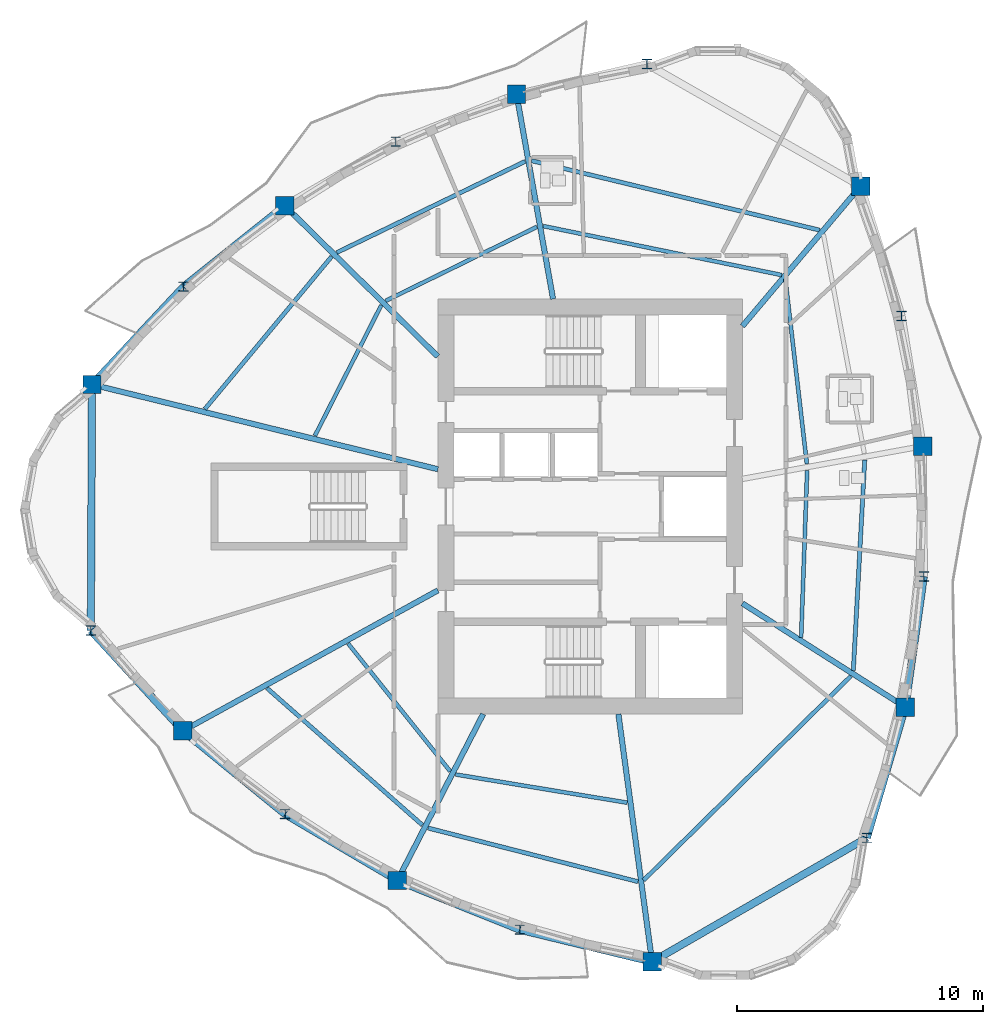
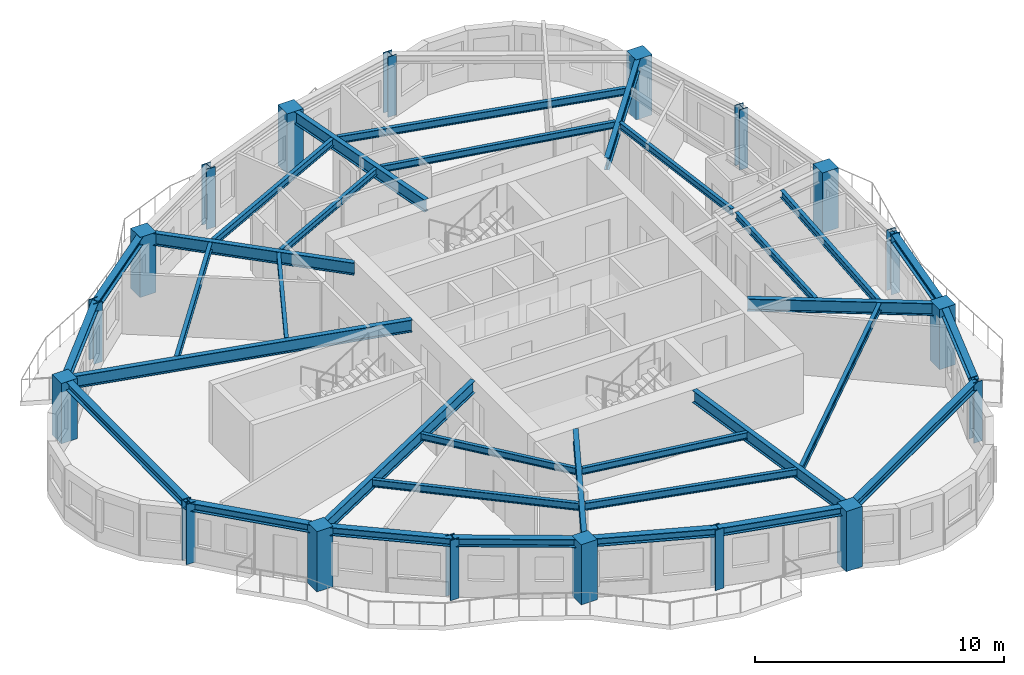
# One storey, part 1 of 12: 33 beams, 18 columns.
"""IFC4 building model written with IfcOpenShell, lengths in metres."""

from ifc_helpers import new_model, si_unit, direction, frame, origin, origin_2d, place, context, subcontext, project, spatial, rectangle, i_section, extrude, source, transform, mapped, material, material_profile, profile_set, type_object, element, save


model = new_model("IFC4")

# Units and contexts
model_context = context("Model", 3, precision=1e-05, world=origin(), true_north=direction((0.0, 1.0)))
body_context = subcontext(model_context, "Body", "Model", "MODEL_VIEW")
ifc_project = project(units=[si_unit("LENGTHUNIT", "METRE"), si_unit("AREAUNIT", "SQUARE_METRE"), si_unit("VOLUMEUNIT", "CUBIC_METRE"), si_unit("PLANEANGLEUNIT", "RADIAN"), si_unit("MASSUNIT", "GRAM", prefix="KILO")], contexts=[model_context])

# Site, building, storey
site_placement = place(None, origin())
site = spatial("IfcSite", under=ifc_project, at=site_placement, CompositionType="ELEMENT")
building_placement = place(site_placement, origin())
building = spatial("IfcBuilding", under=site, at=building_placement, Name="Qafzar Sky-Pleat Residences", CompositionType="ELEMENT")
storey_placement = place(building_placement, frame((0.0, 0.0, 139.39990234375)))
storey = spatial("IfcBuildingStorey", under=building, at=storey_placement, Name="L41", CompositionType="ELEMENT", Elevation=139.39990234375)

# Columns
ifc_material_1 = material(Name="Concrete C60/75", Category="concrete")
ifc_material_profile_1 = material_profile(ifc_material_1, rectangle(XDim=0.75, YDim=0.75, at=origin_2d()), Name="RC 750x750")
ifc_profile_set_1 = profile_set([ifc_material_profile_1], Name="Concrete C60/75")
column_type_1 = type_object("IfcColumnType", Name="COL-RC-750", PredefinedType="COLUMN", material=ifc_profile_set_1)
shared_shape_1 = source(origin(), body_context, "Body", "SweptSolid", [
    extrude(rectangle(XDim=0.75, YDim=0.75, at=origin_2d()), origin(), (0.0, 0.0, 1.0), 2.9501953125),
])
for number, where, z_axis, x_axis, name in (
    (1, (10.064208984375, 30.967529296875, 0.0), (0.0, 0.0, 1.0), (1.0, 0.0, 0.0), "L41 Perimeter Mega Column 1"),
    (2, (13.76708984375, 16.86181640625, 0.0), (0.0, 0.0, 1.0), (1.0, 0.0, 0.0), "L41 Perimeter Mega Column 3"),
    (3, (22.499755859375, 10.770263671875, 0.0), (0.0, 0.0, 1.0), (1.0, 0.0, 0.0), "L41 Perimeter Mega Column 5"),
    (4, (32.873291015625, 7.458251953125, 0.0), (0.0, 0.0, 1.0), (1.0, 0.0, 0.0), "L41 Perimeter Mega Column 7"),
    (5, (43.18359375, 17.83251953125, 0.0), (0.0, 0.0, 1.0), (1.0, 0.0, 0.0), "L41 Perimeter Mega Column 9"),
    (6, (43.88818359375, 28.45654296875, 0.0), (0.0, 0.0, 1.0), (1.0, 0.0, 0.0), "L41 Perimeter Mega Column 11"),
    (7, (41.365478515625, 39.049560546875, 0.0), (0.0, 0.0, 1.0), (1.0, 0.0, 0.0), "L41 Perimeter Mega Column 13"),
    (8, (27.352294921875, 42.781005859375, 0.0), (0.0, 0.0, 1.0), (1.0, 0.0, 0.0), "L41 Perimeter Mega Column 15"),
    (9, (17.914794921875, 38.24853515625, 0.0), (0.0, 0.0, 1.0), (1.0, 0.0, 0.0), "L41 Perimeter Mega Column 17"),
):
    element("IfcColumn", number, at=place(storey_placement, frame(where, z_axis=z_axis, x_axis=x_axis)), inside=storey, type_object=column_type_1, Name=name, PredefinedType="COLUMN", context=body_context, shape_type="MappedRepresentation", body=[
        mapped(shared_shape_1, transform((0.0, 0.0, 0.0), x_axis=(1.0, 0.0, 0.0), y_axis=(0.0, 1.0, 0.0), z_axis=(0.0, 0.0, 1.0), scale=1.0)),
    ])
ifc_material_2 = material(Name="Steel S355", Category="steel")
ifc_material_profile_2 = material_profile(ifc_material_2, i_section(OverallWidth=0.40087890625, OverallDepth=0.39892578125, WebThickness=0.02294921875, FlangeThickness=0.035888671875, FilletRadius=0.014892578125, at=origin_2d()), Name="HD 400x314")
ifc_profile_set_2 = profile_set([ifc_material_profile_2], Name="Steel S355")
column_type_2 = type_object("IfcColumnType", Name="COL-STL-HD314", PredefinedType="PILASTER", material=ifc_profile_set_2)
shared_shape_2 = source(origin(), body_context, "Body", "SweptSolid", [
    extrude(i_section(OverallWidth=0.40087890625, OverallDepth=0.39892578125, WebThickness=0.02294921875, FlangeThickness=0.035888671875, FilletRadius=0.014892578125, at=origin_2d()), origin(), (0.0, 0.0, 1.0), 2.9501953125),
])
for number, where, z_axis, x_axis, name in (
    (10, (10.015869140625, 20.94970703125, 0.0), (0.0, 0.0, 1.0), (1.0, 0.0, 0.0), "L41 Perimeter Mega Column 2"),
    (11, (17.928466796875, 13.468505859375, 0.0), (0.0, 0.0, 1.0), (1.0, 0.0, 0.0), "L41 Perimeter Mega Column 4"),
    (12, (27.4814453125, 8.766845703125, 0.0), (0.0, 0.0, 1.0), (1.0, 0.0, 0.0), "L41 Perimeter Mega Column 6"),
    (13, (41.62109375, 12.5087890625, 0.0), (0.0, 0.0, 1.0), (1.0, 0.0, 0.0), "L41 Perimeter Mega Column 8"),
    (14, (43.939453125, 23.1484375, 0.0), (0.0, 0.0, 1.0), (1.0, 0.0, 0.0), "L41 Perimeter Mega Column 10"),
    (15, (43.030517578125, 33.757080078125, 0.0), (0.0, 0.0, 1.0), (1.0, 0.0, 0.0), "L41 Perimeter Mega Column 12"),
    (16, (32.666015625, 44.0166015625, 0.0), (0.0, 0.0, 1.0), (1.0, 0.0, 0.0), "L41 Perimeter Mega Column 14"),
    (17, (22.43505859375, 40.8583984375, 0.0), (0.0, 0.0, 1.0), (1.0, 0.0, 0.0), "L41 Perimeter Mega Column 16"),
    (18, (13.791015625, 34.95166015625, 0.0), (0.0, 0.0, 1.0), (1.0, 0.0, 0.0), "L41 Perimeter Mega Column 18"),
):
    element("IfcColumn", number, at=place(storey_placement, frame(where, z_axis=z_axis, x_axis=x_axis)), inside=storey, type_object=column_type_2, Name=name, PredefinedType="PILASTER", context=body_context, shape_type="MappedRepresentation", body=[
        mapped(shared_shape_2, transform((0.0, 0.0, 0.0), x_axis=(1.0, 0.0, 0.0), y_axis=(0.0, 1.0, 0.0), z_axis=(0.0, 0.0, 1.0), scale=1.0)),
    ])

# Beams
ifc_material_profile_3 = material_profile(ifc_material_2, i_section(OverallWidth=0.300048828125, OverallDepth=0.39990234375, WebThickness=0.013427734375, FlangeThickness=0.02392578125, FilletRadius=0.027099609375, at=origin_2d()), Name="HEB 400")
ifc_profile_set_3 = profile_set([ifc_material_profile_3], Name="Steel S355")
beam_type_1 = type_object("IfcBeamType", Name="BM-SPAN-HEB400", PredefinedType="SPANDREL", material=ifc_profile_set_3)
shared_shape_3 = source(origin(), body_context, "Body", "SweptSolid", [
    extrude(i_section(OverallWidth=0.300048828125, OverallDepth=0.39990234375, WebThickness=0.013427734375, FlangeThickness=0.02392578125, FilletRadius=0.027099609375, at=origin_2d()), origin(), (0.0, 0.0, 1.0), 10.017822265625),
])
beam_1_placement = place(storey_placement, frame((10.064208984375, 30.967529296875, 2.748046875), z_axis=(-0.00482532827, -0.999988358036, 0.0), x_axis=(0.999988358036, -0.00482532827, 0.0)))
element("IfcBeam", 19, at=beam_1_placement, inside=storey, type_object=beam_type_1, Name="L41 Perimeter Spandrel Beam 1", PredefinedType="SPANDREL", context=body_context, shape_type="MappedRepresentation", body=[
    mapped(shared_shape_3, transform((0.0, 0.0, 0.0), x_axis=(1.0, 0.0, 0.0), y_axis=(0.0, 1.0, 0.0), z_axis=(0.0, 0.0, 1.0), scale=1.0)),
])
shared_shape_4 = source(origin(), body_context, "Body", "SweptSolid", [
    extrude(i_section(OverallWidth=0.300048828125, OverallDepth=0.39990234375, WebThickness=0.013427734375, FlangeThickness=0.02392578125, FilletRadius=0.027099609375, at=origin_2d()), origin(), (0.0, 0.0, 1.0), 5.548095703125),
])
beam_2_placement = place(storey_placement, frame((10.015869140625, 20.94970703125, 2.748046875), z_axis=(0.676115086254, -0.736796030214, 0.0), x_axis=(0.736796030214, 0.676115086254, 0.0)))
element("IfcBeam", 20, at=beam_2_placement, inside=storey, type_object=beam_type_1, Name="L41 Perimeter Spandrel Beam 2", PredefinedType="SPANDREL", context=body_context, shape_type="MappedRepresentation", body=[
    mapped(shared_shape_4, transform((0.0, 0.0, 0.0), x_axis=(1.0, 0.0, 0.0), y_axis=(0.0, 1.0, 0.0), z_axis=(0.0, 0.0, 1.0), scale=1.0)),
])
shared_shape_5 = source(origin(), body_context, "Body", "SweptSolid", [
    extrude(i_section(OverallWidth=0.300048828125, OverallDepth=0.39990234375, WebThickness=0.013427734375, FlangeThickness=0.02392578125, FilletRadius=0.027099609375, at=origin_2d()), origin(), (0.0, 0.0, 1.0), 5.36962890625),
])
beam_3_placement = place(storey_placement, frame((13.76708984375, 16.86181640625, 2.748046875), z_axis=(0.775001557848, -0.63195932253, 0.0), x_axis=(0.63195932253, 0.775001557848, 0.0)))
element("IfcBeam", 21, at=beam_3_placement, inside=storey, type_object=beam_type_1, Name="L41 Perimeter Spandrel Beam 3", PredefinedType="SPANDREL", context=body_context, shape_type="MappedRepresentation", body=[
    mapped(shared_shape_5, transform((0.0, 0.0, 0.0), x_axis=(1.0, 0.0, 0.0), y_axis=(0.0, 1.0, 0.0), z_axis=(0.0, 0.0, 1.0), scale=1.0)),
])
shared_shape_6 = source(origin(), body_context, "Body", "SweptSolid", [
    extrude(i_section(OverallWidth=0.300048828125, OverallDepth=0.39990234375, WebThickness=0.013427734375, FlangeThickness=0.02392578125, FilletRadius=0.027099609375, at=origin_2d()), origin(), (0.0, 0.0, 1.0), 5.30810546875),
])
beam_4_placement = place(storey_placement, frame((17.928466796875, 13.468505859375, 2.748046875), z_axis=(0.861171817652, -0.508313978247, 0.0), x_axis=(0.508313978247, 0.861171817652, 0.0)))
element("IfcBeam", 22, at=beam_4_placement, inside=storey, type_object=beam_type_1, Name="L41 Perimeter Spandrel Beam 4", PredefinedType="SPANDREL", context=body_context, shape_type="MappedRepresentation", body=[
    mapped(shared_shape_6, transform((0.0, 0.0, 0.0), x_axis=(1.0, 0.0, 0.0), y_axis=(0.0, 1.0, 0.0), z_axis=(0.0, 0.0, 1.0), scale=1.0)),
])
shared_shape_7 = source(origin(), body_context, "Body", "SweptSolid", [
    extrude(i_section(OverallWidth=0.300048828125, OverallDepth=0.39990234375, WebThickness=0.013427734375, FlangeThickness=0.02392578125, FilletRadius=0.027099609375, at=origin_2d()), origin(), (0.0, 0.0, 1.0), 5.369384765625),
])
for number, where, z_axis, x_axis, name in (
    (23, (22.499755859375, 10.770263671875, 2.748046875), (0.927785221824, -0.373114703763, 0.0), (0.373114703763, 0.927785221824, 0.0), "L41 Perimeter Spandrel Beam 5"),
    (24, (43.18359375, 17.83251953125, 2.748046875), (0.140772028478, 0.99004203749, 0.0), (-0.99004203749, 0.140772028478, 0.0), "L41 Perimeter Spandrel Beam 9"),
):
    element("IfcBeam", number, at=place(storey_placement, frame(where, z_axis=z_axis, x_axis=x_axis)), inside=storey, type_object=beam_type_1, Name=name, PredefinedType="SPANDREL", context=body_context, shape_type="MappedRepresentation", body=[
        mapped(shared_shape_7, transform((0.0, 0.0, 0.0), x_axis=(1.0, 0.0, 0.0), y_axis=(0.0, 1.0, 0.0), z_axis=(0.0, 0.0, 1.0), scale=1.0)),
    ])
shared_shape_8 = source(origin(), body_context, "Body", "SweptSolid", [
    extrude(i_section(OverallWidth=0.300048828125, OverallDepth=0.39990234375, WebThickness=0.013427734375, FlangeThickness=0.02392578125, FilletRadius=0.027099609375, at=origin_2d()), origin(), (0.0, 0.0, 1.0), 5.54833984375),
])
for number, where, z_axis, x_axis, name in (
    (25, (27.4814453125, 8.766845703125, 2.748046875), (0.97178901186, -0.235851895113, 0.0), (0.235851895113, 0.97178901186, 0.0), "L41 Perimeter Spandrel Beam 6"),
    (26, (41.62109375, 12.5087890625, 2.748046875), (0.281618344189, 0.959526502092, 0.0), (-0.959526502092, 0.281618344189, 0.0), "L41 Perimeter Spandrel Beam 8"),
):
    element("IfcBeam", number, at=place(storey_placement, frame(where, z_axis=z_axis, x_axis=x_axis)), inside=storey, type_object=beam_type_1, Name=name, PredefinedType="SPANDREL", context=body_context, shape_type="MappedRepresentation", body=[
        mapped(shared_shape_8, transform((0.0, 0.0, 0.0), x_axis=(1.0, 0.0, 0.0), y_axis=(0.0, 1.0, 0.0), z_axis=(0.0, 0.0, 1.0), scale=1.0)),
    ])
shared_shape_9 = source(origin(), body_context, "Body", "SweptSolid", [
    extrude(i_section(OverallWidth=0.300048828125, OverallDepth=0.39990234375, WebThickness=0.013427734375, FlangeThickness=0.02392578125, FilletRadius=0.027099609375, at=origin_2d()), origin(), (0.0, 0.0, 1.0), 10.10107421875),
])
beam_5_placement = place(storey_placement, frame((32.873291015625, 7.458251953125, 2.748046875), z_axis=(0.866025796203, 0.499999320311, 0.0), x_axis=(-0.499999320311, 0.866025796203, 0.0)))
element("IfcBeam", 27, at=beam_5_placement, inside=storey, type_object=beam_type_1, Name="L41 Perimeter Spandrel Beam 7", PredefinedType="SPANDREL", context=body_context, shape_type="MappedRepresentation", body=[
    mapped(shared_shape_9, transform((0.0, 0.0, 0.0), x_axis=(1.0, 0.0, 0.0), y_axis=(0.0, 1.0, 0.0), z_axis=(0.0, 0.0, 1.0), scale=1.0)),
])
shared_shape_10 = source(origin(), body_context, "Body", "SweptSolid", [
    extrude(i_section(OverallWidth=0.300048828125, OverallDepth=0.39990234375, WebThickness=0.013427734375, FlangeThickness=0.02392578125, FilletRadius=0.027099609375, at=origin_2d()), origin(), (0.0, 0.0, 1.0), 5.45556640625),
])
beam_6_placement = place(storey_placement, frame((13.791015625, 34.95166015625, 2.748046875), z_axis=(-0.683129413239, -0.73029733997, 0.0), x_axis=(0.73029733997, -0.683129413239, 0.0)))
element("IfcBeam", 28, at=beam_6_placement, inside=storey, type_object=beam_type_1, Name="L41 Perimeter Spandrel Beam 18", PredefinedType="SPANDREL", context=body_context, shape_type="MappedRepresentation", body=[
    mapped(shared_shape_10, transform((0.0, 0.0, 0.0), x_axis=(1.0, 0.0, 0.0), y_axis=(0.0, 1.0, 0.0), z_axis=(0.0, 0.0, 1.0), scale=1.0)),
])
shared_shape_11 = source(origin(), body_context, "Body", "SweptSolid", [
    extrude(i_section(OverallWidth=0.300048828125, OverallDepth=0.39990234375, WebThickness=0.013427734375, FlangeThickness=0.02392578125, FilletRadius=0.027099609375, at=origin_2d()), origin(), (0.0, 0.0, 1.0), 5.27978515625),
])
beam_7_placement = place(storey_placement, frame((17.914794921875, 38.24853515625, 2.748046875), z_axis=(-0.781067270651, -0.62444689023, 0.0), x_axis=(0.62444689023, -0.781067270651, 0.0)))
element("IfcBeam", 29, at=beam_7_placement, inside=storey, type_object=beam_type_1, Name="L41 Perimeter Spandrel Beam 17", PredefinedType="SPANDREL", context=body_context, shape_type="MappedRepresentation", body=[
    mapped(shared_shape_11, transform((0.0, 0.0, 0.0), x_axis=(1.0, 0.0, 0.0), y_axis=(0.0, 1.0, 0.0), z_axis=(0.0, 0.0, 1.0), scale=1.0)),
])
ifc_material_profile_4 = material_profile(ifc_material_2, i_section(OverallWidth=0.219970703125, OverallDepth=0.60009765625, WebThickness=0.011962890625, FlangeThickness=0.01904296875, FilletRadius=0.02392578125, at=origin_2d()), Name="IPE 600")
ifc_profile_set_4 = profile_set([ifc_material_profile_4], Name="Steel S355")
beam_type_2 = type_object("IfcBeamType", Name="BM-SEC-IPE600", PredefinedType="BEAM", material=ifc_profile_set_4)
shared_shape_12 = source(origin(), body_context, "Body", "SweptSolid", [
    extrude(i_section(OverallWidth=0.219970703125, OverallDepth=0.60009765625, WebThickness=0.011962890625, FlangeThickness=0.01904296875, FilletRadius=0.02392578125, at=origin_2d()), origin(), (0.0, 0.0, 1.0), 14.501953125),
])
beam_8_placement = place(storey_placement, frame((10.064208984375, 30.967529296875, 2.648193359375), z_axis=(0.971302709207, -0.2378466882, 0.0), x_axis=(0.2378466882, 0.971302709207, 0.0)))
element("IfcBeam", 30, at=beam_8_placement, inside=storey, type_object=beam_type_2, Name="L41 Radial Floor Girder 1", PredefinedType="BEAM", context=body_context, shape_type="MappedRepresentation", body=[
    mapped(shared_shape_12, transform((0.0, 0.0, 0.0), x_axis=(1.0, 0.0, 0.0), y_axis=(0.0, 1.0, 0.0), z_axis=(0.0, 0.0, 1.0), scale=1.0)),
])
shared_shape_13 = source(origin(), body_context, "Body", "SweptSolid", [
    extrude(i_section(OverallWidth=0.219970703125, OverallDepth=0.60009765625, WebThickness=0.011962890625, FlangeThickness=0.01904296875, FilletRadius=0.02392578125, at=origin_2d()), origin(), (0.0, 0.0, 1.0), 11.85498046875),
])
beam_9_placement = place(storey_placement, frame((13.76708984375, 16.86181640625, 2.648193359375), z_axis=(0.875819070007, 0.482639572157, 0.0), x_axis=(-0.482639572157, 0.875819070007, 0.0)))
element("IfcBeam", 31, at=beam_9_placement, inside=storey, type_object=beam_type_2, Name="L41 Radial Floor Girder 3", PredefinedType="BEAM", context=body_context, shape_type="MappedRepresentation", body=[
    mapped(shared_shape_13, transform((0.0, 0.0, 0.0), x_axis=(1.0, 0.0, 0.0), y_axis=(0.0, 1.0, 0.0), z_axis=(0.0, 0.0, 1.0), scale=1.0)),
])
shared_shape_14 = source(origin(), body_context, "Body", "SweptSolid", [
    extrude(i_section(OverallWidth=0.219970703125, OverallDepth=0.60009765625, WebThickness=0.011962890625, FlangeThickness=0.01904296875, FilletRadius=0.02392578125, at=origin_2d()), origin(), (0.0, 0.0, 1.0), 7.62744140625),
])
beam_10_placement = place(storey_placement, frame((22.499755859375, 10.770263671875, 2.648193359375), z_axis=(0.458165071573, 0.888867125723, 0.0), x_axis=(-0.888867125723, 0.458165071573, 0.0)))
element("IfcBeam", 32, at=beam_10_placement, inside=storey, type_object=beam_type_2, Name="L41 Radial Floor Girder 5", PredefinedType="BEAM", context=body_context, shape_type="MappedRepresentation", body=[
    mapped(shared_shape_14, transform((0.0, 0.0, 0.0), x_axis=(1.0, 0.0, 0.0), y_axis=(0.0, 1.0, 0.0), z_axis=(0.0, 0.0, 1.0), scale=1.0)),
])
shared_shape_15 = source(origin(), body_context, "Body", "SweptSolid", [
    extrude(i_section(OverallWidth=0.219970703125, OverallDepth=0.60009765625, WebThickness=0.011962890625, FlangeThickness=0.01904296875, FilletRadius=0.02392578125, at=origin_2d()), origin(), (0.0, 0.0, 1.0), 10.184814453125),
])
beam_11_placement = place(storey_placement, frame((32.873291015625, 7.458251953125, 2.648193359375), z_axis=(-0.134837216246, 0.990867763687, 0.0), x_axis=(-0.990867763687, -0.134837216246, 0.0)))
element("IfcBeam", 33, at=beam_11_placement, inside=storey, type_object=beam_type_2, Name="L41 Radial Floor Girder 7", PredefinedType="BEAM", context=body_context, shape_type="MappedRepresentation", body=[
    mapped(shared_shape_15, transform((0.0, 0.0, 0.0), x_axis=(1.0, 0.0, 0.0), y_axis=(0.0, 1.0, 0.0), z_axis=(0.0, 0.0, 1.0), scale=1.0)),
])
shared_shape_16 = source(origin(), body_context, "Body", "SweptSolid", [
    extrude(i_section(OverallWidth=0.219970703125, OverallDepth=0.60009765625, WebThickness=0.011962890625, FlangeThickness=0.01904296875, FilletRadius=0.02392578125, at=origin_2d()), origin(), (0.0, 0.0, 1.0), 7.863037109375),
])
beam_12_placement = place(storey_placement, frame((43.18359375, 17.83251953125, 2.648193359375), z_axis=(-0.843642309645, 0.536905627999, 0.0), x_axis=(-0.536905627999, -0.843642309645, 0.0)))
element("IfcBeam", 34, at=beam_12_placement, inside=storey, type_object=beam_type_2, Name="L41 Radial Floor Girder 9", PredefinedType="BEAM", context=body_context, shape_type="MappedRepresentation", body=[
    mapped(shared_shape_16, transform((0.0, 0.0, 0.0), x_axis=(1.0, 0.0, 0.0), y_axis=(0.0, 1.0, 0.0), z_axis=(0.0, 0.0, 1.0), scale=1.0)),
])
shared_shape_17 = source(origin(), body_context, "Body", "SweptSolid", [
    extrude(i_section(OverallWidth=0.219970703125, OverallDepth=0.60009765625, WebThickness=0.011962890625, FlangeThickness=0.01904296875, FilletRadius=0.02392578125, at=origin_2d()), origin(), (0.0, 0.0, 1.0), 7.465576171875),
])
beam_13_placement = place(storey_placement, frame((41.365478515625, 39.049560546875, 2.648193359375), z_axis=(-0.645025540345, -0.764161012028, 0.0), x_axis=(0.764161012028, -0.645025540345, 0.0)))
element("IfcBeam", 35, at=beam_13_placement, inside=storey, type_object=beam_type_2, Name="L41 Radial Floor Girder 13", PredefinedType="BEAM", context=body_context, shape_type="MappedRepresentation", body=[
    mapped(shared_shape_17, transform((0.0, 0.0, 0.0), x_axis=(1.0, 0.0, 0.0), y_axis=(0.0, 1.0, 0.0), z_axis=(0.0, 0.0, 1.0), scale=1.0)),
])
shared_shape_18 = source(origin(), body_context, "Body", "SweptSolid", [
    extrude(i_section(OverallWidth=0.219970703125, OverallDepth=0.60009765625, WebThickness=0.011962890625, FlangeThickness=0.01904296875, FilletRadius=0.02392578125, at=origin_2d()), origin(), (0.0, 0.0, 1.0), 8.462890625),
])
beam_14_placement = place(storey_placement, frame((27.352294921875, 42.781005859375, 2.648193359375), z_axis=(0.175858532928, -0.984415449085, 0.0), x_axis=(0.984415449085, 0.175858532928, 0.0)))
element("IfcBeam", 36, at=beam_14_placement, inside=storey, type_object=beam_type_2, Name="L41 Radial Floor Girder 15", PredefinedType="BEAM", context=body_context, shape_type="MappedRepresentation", body=[
    mapped(shared_shape_18, transform((0.0, 0.0, 0.0), x_axis=(1.0, 0.0, 0.0), y_axis=(0.0, 1.0, 0.0), z_axis=(0.0, 0.0, 1.0), scale=1.0)),
])
shared_shape_19 = source(origin(), body_context, "Body", "SweptSolid", [
    extrude(i_section(OverallWidth=0.219970703125, OverallDepth=0.60009765625, WebThickness=0.011962890625, FlangeThickness=0.01904296875, FilletRadius=0.02392578125, at=origin_2d()), origin(), (0.0, 0.0, 1.0), 8.751953125),
])
beam_15_placement = place(storey_placement, frame((17.914794921875, 38.24853515625, 2.648193359375), z_axis=(0.712428631163, -0.701744572832, 0.0), x_axis=(0.701744572832, 0.712428631163, 0.0)))
element("IfcBeam", 37, at=beam_15_placement, inside=storey, type_object=beam_type_2, Name="L41 Radial Floor Girder 17", PredefinedType="BEAM", context=body_context, shape_type="MappedRepresentation", body=[
    mapped(shared_shape_19, transform((0.0, 0.0, 0.0), x_axis=(1.0, 0.0, 0.0), y_axis=(0.0, 1.0, 0.0), z_axis=(0.0, 0.0, 1.0), scale=1.0)),
])
ifc_material_profile_5 = material_profile(ifc_material_2, i_section(OverallWidth=0.169921875, OverallDepth=0.360107421875, WebThickness=0.008056640625, FlangeThickness=0.0126953125, FilletRadius=0.01806640625, at=origin_2d()), Name="IPE 360")
ifc_profile_set_5 = profile_set([ifc_material_profile_5], Name="Steel S355")
beam_type_3 = type_object("IfcBeamType", Name="BM-JST-IPE360", PredefinedType="JOIST", material=ifc_profile_set_5)
shared_shape_20 = source(origin(), body_context, "Body", "SweptSolid", [
    extrude(i_section(OverallWidth=0.169921875, OverallDepth=0.360107421875, WebThickness=0.008056640625, FlangeThickness=0.0126953125, FilletRadius=0.01806640625, at=origin_2d()), origin(), (0.0, 0.0, 1.0), 8.431640625),
])
beam_16_placement = place(storey_placement, frame((17.19091796875, 18.603515625, 2.76806640625), z_axis=(0.750263581122, -0.661138834771, 0.0), x_axis=(0.661138834771, 0.750263581122, 0.0)))
element("IfcBeam", 38, at=beam_16_placement, inside=storey, type_object=beam_type_3, Name="L41 Outer Secondary Floor Joist 2", PredefinedType="JOIST", context=body_context, shape_type="MappedRepresentation", body=[
    mapped(shared_shape_20, transform((0.0, 0.0, 0.0), x_axis=(1.0, 0.0, 0.0), y_axis=(0.0, 1.0, 0.0), z_axis=(0.0, 0.0, 1.0), scale=1.0)),
])
shared_shape_21 = source(origin(), body_context, "Body", "SweptSolid", [
    extrude(i_section(OverallWidth=0.169921875, OverallDepth=0.360107421875, WebThickness=0.008056640625, FlangeThickness=0.0126953125, FilletRadius=0.01806640625, at=origin_2d()), origin(), (0.0, 0.0, 1.0), 8.828857421875),
])
beam_17_placement = place(storey_placement, frame((23.748779296875, 12.90625, 2.76806640625), z_axis=(0.968883714803, -0.247516357418, 0.0), x_axis=(0.247516357418, 0.968883714803, 0.0)))
element("IfcBeam", 39, at=beam_17_placement, inside=storey, type_object=beam_type_3, Name="L41 Outer Secondary Floor Joist 3", PredefinedType="JOIST", context=body_context, shape_type="MappedRepresentation", body=[
    mapped(shared_shape_21, transform((0.0, 0.0, 0.0), x_axis=(1.0, 0.0, 0.0), y_axis=(0.0, 1.0, 0.0), z_axis=(0.0, 0.0, 1.0), scale=1.0)),
])
shared_shape_22 = source(origin(), body_context, "Body", "SweptSolid", [
    extrude(i_section(OverallWidth=0.169921875, OverallDepth=0.360107421875, WebThickness=0.008056640625, FlangeThickness=0.0126953125, FilletRadius=0.01806640625, at=origin_2d()), origin(), (0.0, 0.0, 1.0), 11.83837890625),
])
beam_18_placement = place(storey_placement, frame((32.52978515625, 10.7822265625, 2.76806640625), z_axis=(0.712499561972, 0.701672554822, 0.0), x_axis=(-0.701672554822, 0.712499561972, 0.0)))
element("IfcBeam", 40, at=beam_18_placement, inside=storey, type_object=beam_type_3, Name="L41 Outer Secondary Floor Joist 4", PredefinedType="JOIST", context=body_context, shape_type="MappedRepresentation", body=[
    mapped(shared_shape_22, transform((0.0, 0.0, 0.0), x_axis=(1.0, 0.0, 0.0), y_axis=(0.0, 1.0, 0.0), z_axis=(0.0, 0.0, 1.0), scale=1.0)),
])
shared_shape_23 = source(origin(), body_context, "Body", "SweptSolid", [
    extrude(i_section(OverallWidth=0.169921875, OverallDepth=0.360107421875, WebThickness=0.008056640625, FlangeThickness=0.0126953125, FilletRadius=0.01806640625, at=origin_2d()), origin(), (0.0, 0.0, 1.0), 8.590087890625),
])
beam_19_placement = place(storey_placement, frame((41.068115234375, 19.318359375, 2.76806640625), z_axis=(0.054086315156, 0.998536263995, 0.0), x_axis=(-0.998536263995, 0.054086315156, 0.0)))
element("IfcBeam", 41, at=beam_19_placement, inside=storey, type_object=beam_type_3, Name="L41 Outer Secondary Floor Joist 5", PredefinedType="JOIST", context=body_context, shape_type="MappedRepresentation", body=[
    mapped(shared_shape_23, transform((0.0, 0.0, 0.0), x_axis=(1.0, 0.0, 0.0), y_axis=(0.0, 1.0, 0.0), z_axis=(0.0, 0.0, 1.0), scale=1.0)),
])
shared_shape_24 = source(origin(), body_context, "Body", "SweptSolid", [
    extrude(i_section(OverallWidth=0.169921875, OverallDepth=0.360107421875, WebThickness=0.008056640625, FlangeThickness=0.0126953125, FilletRadius=0.01806640625, at=origin_2d()), origin(), (0.0, 0.0, 1.0), 12.069580078125),
])
beam_20_placement = place(storey_placement, frame((39.693359375, 37.255615234375, 2.76806640625), z_axis=(-0.972164877291, 0.234297783518, 0.0), x_axis=(-0.234297783518, -0.972164877291, 0.0)))
element("IfcBeam", 42, at=beam_20_placement, inside=storey, type_object=beam_type_3, Name="L41 Outer Secondary Floor Joist 7", PredefinedType="JOIST", context=body_context, shape_type="MappedRepresentation", body=[
    mapped(shared_shape_24, transform((0.0, 0.0, 0.0), x_axis=(1.0, 0.0, 0.0), y_axis=(0.0, 1.0, 0.0), z_axis=(0.0, 0.0, 1.0), scale=1.0)),
])
shared_shape_25 = source(origin(), body_context, "Body", "SweptSolid", [
    extrude(i_section(OverallWidth=0.169921875, OverallDepth=0.360107421875, WebThickness=0.008056640625, FlangeThickness=0.0126953125, FilletRadius=0.01806640625, at=origin_2d()), origin(), (0.0, 0.0, 1.0), 8.52685546875),
])
beam_21_placement = place(storey_placement, frame((27.706787109375, 40.056396484375, 2.76806640625), z_axis=(-0.900136074071, -0.4356088247, 0.0), x_axis=(0.4356088247, -0.900136074071, 0.0)))
element("IfcBeam", 43, at=beam_21_placement, inside=storey, type_object=beam_type_3, Name="L41 Outer Secondary Floor Joist 8", PredefinedType="JOIST", context=body_context, shape_type="MappedRepresentation", body=[
    mapped(shared_shape_25, transform((0.0, 0.0, 0.0), x_axis=(1.0, 0.0, 0.0), y_axis=(0.0, 1.0, 0.0), z_axis=(0.0, 0.0, 1.0), scale=1.0)),
])
shared_shape_26 = source(origin(), body_context, "Body", "SweptSolid", [
    extrude(i_section(OverallWidth=0.169921875, OverallDepth=0.360107421875, WebThickness=0.008056640625, FlangeThickness=0.0126953125, FilletRadius=0.01806640625, at=origin_2d()), origin(), (0.0, 0.0, 1.0), 8.0791015625),
])
beam_22_placement = place(storey_placement, frame((19.82373046875, 36.179443359375, 2.76806640625), z_axis=(-0.639393425542, -0.768879735313, 0.0), x_axis=(0.768879735313, -0.639393425542, 0.0)))
element("IfcBeam", 44, at=beam_22_placement, inside=storey, type_object=beam_type_3, Name="L41 Outer Secondary Floor Joist 9", PredefinedType="JOIST", context=body_context, shape_type="MappedRepresentation", body=[
    mapped(shared_shape_26, transform((0.0, 0.0, 0.0), x_axis=(1.0, 0.0, 0.0), y_axis=(0.0, 1.0, 0.0), z_axis=(0.0, 0.0, 1.0), scale=1.0)),
])
ifc_material_profile_6 = material_profile(ifc_material_2, i_section(OverallWidth=0.159912109375, OverallDepth=0.330078125, WebThickness=0.007568359375, FlangeThickness=0.011474609375, FilletRadius=0.01806640625, at=origin_2d()), Name="IPE 330")
ifc_profile_set_6 = profile_set([ifc_material_profile_6], Name="Steel S355")
beam_type_4 = type_object("IfcBeamType", Name="BM-JST-IPE330", PredefinedType="JOIST", material=ifc_profile_set_6)
shared_shape_27 = source(origin(), body_context, "Body", "SweptSolid", [
    extrude(i_section(OverallWidth=0.159912109375, OverallDepth=0.330078125, WebThickness=0.007568359375, FlangeThickness=0.011474609375, FilletRadius=0.01806640625, at=origin_2d()), origin(), (0.0, 0.0, 1.0), 6.6591796875),
])
beam_23_placement = place(storey_placement, frame((20.496337890625, 20.418212890625, 2.783203125), z_axis=(0.624059963156, -0.781376453693, 0.0), x_axis=(0.781376453693, 0.624059963156, 0.0)))
element("IfcBeam", 45, at=beam_23_placement, inside=storey, type_object=beam_type_4, Name="L41 Inner Secondary Floor Joist 2", PredefinedType="JOIST", context=body_context, shape_type="MappedRepresentation", body=[
    mapped(shared_shape_27, transform((0.0, 0.0, 0.0), x_axis=(1.0, 0.0, 0.0), y_axis=(0.0, 1.0, 0.0), z_axis=(0.0, 0.0, 1.0), scale=1.0)),
])
shared_shape_28 = source(origin(), body_context, "Body", "SweptSolid", [
    extrude(i_section(OverallWidth=0.159912109375, OverallDepth=0.330078125, WebThickness=0.007568359375, FlangeThickness=0.011474609375, FilletRadius=0.01806640625, at=origin_2d()), origin(), (0.0, 0.0, 1.0), 7.085205078125),
])
beam_24_placement = place(storey_placement, frame((24.86962890625, 15.08740234375, 2.783203125), z_axis=(0.98677033881, -0.162124330206, 0.0), x_axis=(0.162124330206, 0.98677033881, 0.0)))
element("IfcBeam", 46, at=beam_24_placement, inside=storey, type_object=beam_type_4, Name="L41 Inner Secondary Floor Joist 3", PredefinedType="JOIST", context=body_context, shape_type="MappedRepresentation", body=[
    mapped(shared_shape_28, transform((0.0, 0.0, 0.0), x_axis=(1.0, 0.0, 0.0), y_axis=(0.0, 1.0, 0.0), z_axis=(0.0, 0.0, 1.0), scale=1.0)),
])
shared_shape_29 = source(origin(), body_context, "Body", "SweptSolid", [
    extrude(i_section(OverallWidth=0.159912109375, OverallDepth=0.330078125, WebThickness=0.007568359375, FlangeThickness=0.011474609375, FilletRadius=0.01806640625, at=origin_2d()), origin(), (0.0, 0.0, 1.0), 6.804443359375),
])
beam_25_placement = place(storey_placement, frame((38.943115234375, 20.66943359375, 2.783203125), z_axis=(0.035843824588, 0.999357403654, 0.0), x_axis=(-0.999357403654, 0.035843824588, 0.0)))
element("IfcBeam", 47, at=beam_25_placement, inside=storey, type_object=beam_type_4, Name="L41 Inner Secondary Floor Joist 5", PredefinedType="JOIST", context=body_context, shape_type="MappedRepresentation", body=[
    mapped(shared_shape_29, transform((0.0, 0.0, 0.0), x_axis=(1.0, 0.0, 0.0), y_axis=(0.0, 1.0, 0.0), z_axis=(0.0, 0.0, 1.0), scale=1.0)),
])
shared_shape_30 = source(origin(), body_context, "Body", "SweptSolid", [
    extrude(i_section(OverallWidth=0.159912109375, OverallDepth=0.330078125, WebThickness=0.007568359375, FlangeThickness=0.011474609375, FilletRadius=0.01806640625, at=origin_2d()), origin(), (0.0, 0.0, 1.0), 7.576904296875),
])
beam_26_placement = place(storey_placement, frame((39.17626953125, 27.738525390625, 2.783203125), z_axis=(-0.115741884546, 0.99327932434, 0.0), x_axis=(-0.99327932434, -0.115741884546, 0.0)))
element("IfcBeam", 48, at=beam_26_placement, inside=storey, type_object=beam_type_4, Name="L41 Inner Secondary Floor Joist 6", PredefinedType="JOIST", context=body_context, shape_type="MappedRepresentation", body=[
    mapped(shared_shape_30, transform((0.0, 0.0, 0.0), x_axis=(1.0, 0.0, 0.0), y_axis=(0.0, 1.0, 0.0), z_axis=(0.0, 0.0, 1.0), scale=1.0)),
])
shared_shape_31 = source(origin(), body_context, "Body", "SweptSolid", [
    extrude(i_section(OverallWidth=0.159912109375, OverallDepth=0.330078125, WebThickness=0.007568359375, FlangeThickness=0.011474609375, FilletRadius=0.01806640625, at=origin_2d()), origin(), (0.0, 0.0, 1.0), 9.91748046875),
])
beam_27_placement = place(storey_placement, frame((38.1513671875, 35.42578125, 2.783203125), z_axis=(-0.979530197869, 0.201297271374, 0.0), x_axis=(-0.201297271374, -0.979530197869, 0.0)))
element("IfcBeam", 49, at=beam_27_placement, inside=storey, type_object=beam_type_4, Name="L41 Inner Secondary Floor Joist 7", PredefinedType="JOIST", context=body_context, shape_type="MappedRepresentation", body=[
    mapped(shared_shape_31, transform((0.0, 0.0, 0.0), x_axis=(1.0, 0.0, 0.0), y_axis=(0.0, 1.0, 0.0), z_axis=(0.0, 0.0, 1.0), scale=1.0)),
])
shared_shape_32 = source(origin(), body_context, "Body", "SweptSolid", [
    extrude(i_section(OverallWidth=0.159912109375, OverallDepth=0.330078125, WebThickness=0.007568359375, FlangeThickness=0.011474609375, FilletRadius=0.01806640625, at=origin_2d()), origin(), (0.0, 0.0, 1.0), 6.8544921875),
])
beam_28_placement = place(storey_placement, frame((28.18359375, 37.389892578125, 2.783203125), z_axis=(-0.898233775549, -0.43951801381, 0.0), x_axis=(0.43951801381, -0.898233775549, 0.0)))
element("IfcBeam", 50, at=beam_28_placement, inside=storey, type_object=beam_type_4, Name="L41 Inner Secondary Floor Joist 8", PredefinedType="JOIST", context=body_context, shape_type="MappedRepresentation", body=[
    mapped(shared_shape_32, transform((0.0, 0.0, 0.0), x_axis=(1.0, 0.0, 0.0), y_axis=(0.0, 1.0, 0.0), z_axis=(0.0, 0.0, 1.0), scale=1.0)),
])
shared_shape_33 = source(origin(), body_context, "Body", "SweptSolid", [
    extrude(i_section(OverallWidth=0.159912109375, OverallDepth=0.330078125, WebThickness=0.007568359375, FlangeThickness=0.011474609375, FilletRadius=0.01806640625, at=origin_2d()), origin(), (0.0, 0.0, 1.0), 5.965087890625),
])
beam_29_placement = place(storey_placement, frame((21.843994140625, 34.197509765625, 2.783203125), z_axis=(-0.453244471587, -0.891386251282, 0.0), x_axis=(0.891386251282, -0.453244471587, 0.0)))
element("IfcBeam", 51, at=beam_29_placement, inside=storey, type_object=beam_type_4, Name="L41 Inner Secondary Floor Joist 9", PredefinedType="JOIST", context=body_context, shape_type="MappedRepresentation", body=[
    mapped(shared_shape_33, transform((0.0, 0.0, 0.0), x_axis=(1.0, 0.0, 0.0), y_axis=(0.0, 1.0, 0.0), z_axis=(0.0, 0.0, 1.0), scale=1.0)),
])

save(model, "model.ifc")
